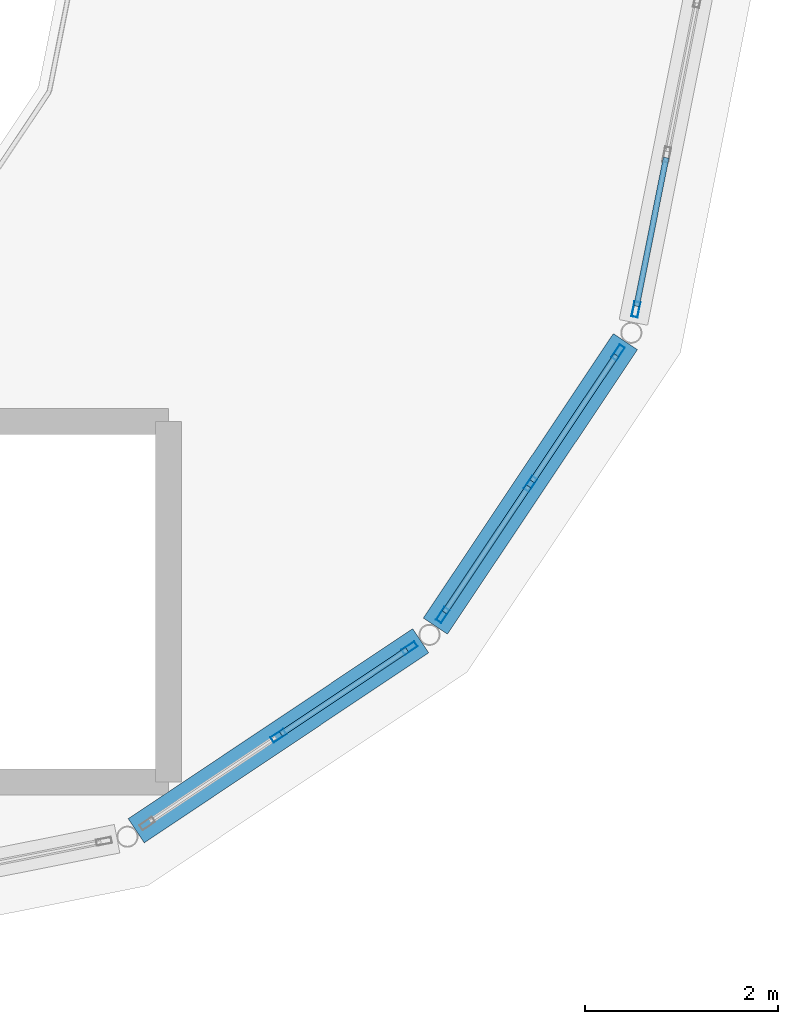
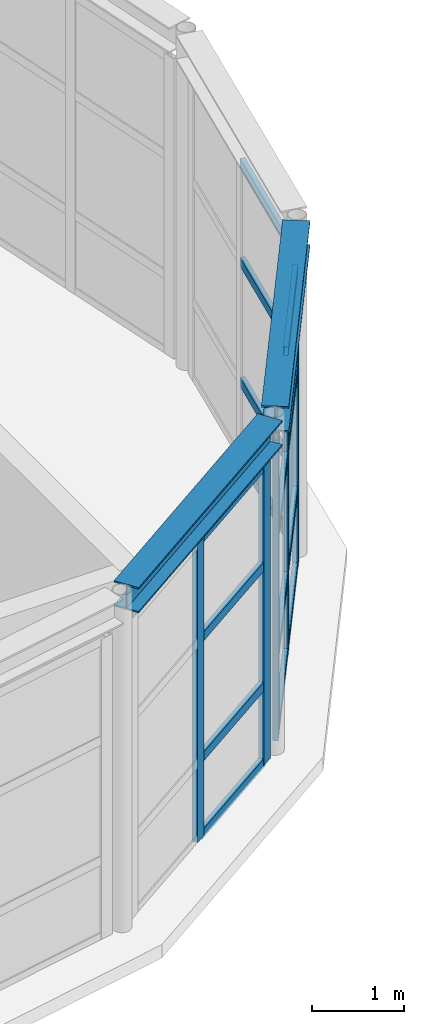
# One storey, part 38 of 80: 22 members, 2 beams, 3 elements without a shape of their own.
"""IFC4 building model written with IfcOpenShell, lengths in metres."""

from ifc_helpers import new_model, si_unit, direction, frame, origin, origin_2d, place, context, subcontext, project, spatial, hollow_rectangle, i_section, extrude, material, layer, layer_set, material_profile, profile_set, type_object, element, aggregate, save


model = new_model("IFC4")

# Units and contexts
model_context = context("Model", 3, precision=1e-05, world=origin(), true_north=direction((0.0, 1.0)))
body_context = subcontext(model_context, "Body", "Model", "MODEL_VIEW")
ifc_project = project(units=[si_unit("LENGTHUNIT", "METRE"), si_unit("AREAUNIT", "SQUARE_METRE"), si_unit("VOLUMEUNIT", "CUBIC_METRE"), si_unit("PLANEANGLEUNIT", "RADIAN"), si_unit("MASSUNIT", "GRAM", prefix="KILO")], contexts=[model_context])

# Site, building, storey
site_placement = place(None, origin())
site = spatial("IfcSite", under=ifc_project, at=site_placement, CompositionType="ELEMENT")
building_placement = place(site_placement, origin())
building = spatial("IfcBuilding", under=site, at=building_placement, Name="Kharisveld Research Institute", CompositionType="ELEMENT")
storey_placement = place(building_placement, frame((0.0, 0.0, 5.10009765625)))
storey = spatial("IfcBuildingStorey", under=building, at=storey_placement, Name="L01", CompositionType="ELEMENT", Elevation=5.10009765625)

# Beams
ifc_material_1 = material(Name="Steel S355JR", Category="steel")
ifc_material_profile_1 = material_profile(ifc_material_1, i_section(OverallWidth=0.300048828125, OverallDepth=0.340087890625, WebThickness=0.011962890625, FlangeThickness=0.021484375, at=origin_2d()))
ifc_profile_set_1 = profile_set([ifc_material_profile_1], Name="Steel S355JR")
beam_type = type_object("IfcBeamType", Name="BM_ST_HEA300", PredefinedType="BEAM", material=ifc_profile_set_1)
for number, where, z_axis, x_axis, name in (
    (1, (63.283935546875, 41.9453125, 4.329833984375), (0.831456681365, 0.555589585047, 0.0), (-0.555589585047, 0.831456681365, 0.0), "BM:V6:L01:RING13"),
    (2, (66.384521484375, 44.0673828125, 4.329833984375), (0.555510185735, 0.831509731479, 0.0), (-0.831509731479, 0.555510185735, 0.0), "BM:V6:L01:RING14"),
):
    element("IfcBeam", number, at=place(storey_placement, frame(where, z_axis=z_axis, x_axis=x_axis)), inside=storey, type_object=beam_type, Name=name, PredefinedType="BEAM", context=body_context, shape_type="SweptSolid", body=[
        extrude(i_section(OverallWidth=0.300048828125, OverallDepth=0.340087890625, WebThickness=0.011962890625, FlangeThickness=0.021484375, at=origin_2d()), origin(), (0.0, 0.0, 1.0), 3.546142578125),
    ])

# Curtain wall, members
ifc_material_2 = material(Name="Thermally Broken Aluminium Curtain Wall", Category="aluminium")
ifc_layer_1 = layer(ifc_material_2, 0.159912109375)
ifc_layer_set_1 = layer_set([ifc_layer_1], Name="CW_SYS_02")
curtain_wall_type_1 = type_object("IfcCurtainWallType", Name="CW_SYS_02", PredefinedType="NOTDEFINED", material=ifc_layer_set_1)
curtain_wall_1_placement = place(storey_placement, origin())
curtain_wall_1 = element("IfcCurtainWall", 3, at=curtain_wall_1_placement, inside=storey, type_object=curtain_wall_type_1, Name="CW:V6:L01:CHORD13", PredefinedType="NOTDEFINED")
ifc_material_3 = material(Name="Anodised Aluminium AW-6063-T6", Category="aluminium")
ifc_material_profile_2 = material_profile(ifc_material_3, hollow_rectangle(XDim=0.06494140625, YDim=0.159912109375, WallThickness=0.00390625, at=origin_2d()))
ifc_profile_set_2 = profile_set([ifc_material_profile_2], Name="Anodised Aluminium AW-6063-T6")
member_type_1 = type_object("IfcMemberType", Name="CW_MUL_160", PredefinedType="MULLION", material=ifc_profile_set_2)
member_1_placement = place(storey_placement, frame((66.11767578125, 43.8388671875, 0.0), z_axis=(0.0, 0.0, 1.0), x_axis=(0.555570109828, -0.831469694616, 0.0)))
member_1 = element("IfcMember", 4, at=member_1_placement, type_object=member_type_1, Name="CW-02 mullion 1", PredefinedType="MULLION", context=body_context, shape_type="SweptSolid", body=[
    extrude(hollow_rectangle(XDim=0.06494140625, YDim=0.159912109375, WallThickness=0.00390625, at=origin_2d()), origin(), (0.0, 0.0, 1.0), 4.0),
])
member_2_placement = place(storey_placement, frame((64.75830078125, 42.930419921875, 0.0), z_axis=(0.0, 0.0, 1.0), x_axis=(0.555570109828, -0.831469694616, 0.0)))
member_2 = element("IfcMember", 5, at=member_2_placement, type_object=member_type_1, Name="CW-02 mullion 2", PredefinedType="MULLION", context=body_context, shape_type="SweptSolid", body=[
    extrude(hollow_rectangle(XDim=0.06494140625, YDim=0.159912109375, WallThickness=0.00390625, at=origin_2d()), origin(), (0.0, 0.0, 1.0), 4.0),
])

ifc_material_4 = material(Name="Thermally Broken Aluminium Curtain Wall", Category="aluminium")
ifc_layer_2 = layer(ifc_material_4, 0.159912109375)
ifc_layer_set_2 = layer_set([ifc_layer_2], Name="CW_SYS_03")
curtain_wall_type_2 = type_object("IfcCurtainWallType", Name="CW_SYS_03", PredefinedType="NOTDEFINED", material=ifc_layer_set_2)
curtain_wall_2_placement = place(storey_placement, origin())
curtain_wall_2 = element("IfcCurtainWall", 6, at=curtain_wall_2_placement, inside=storey, type_object=curtain_wall_type_2, Name="CW:V6:L01:CHORD14", PredefinedType="NOTDEFINED")
member_3_placement = place(storey_placement, frame((68.27783203125, 46.9013671875, 0.0), z_axis=(0.0, 0.0, 1.0), x_axis=(0.831469694616, -0.555570109828, 0.0)))
member_3 = element("IfcMember", 7, at=member_3_placement, type_object=member_type_1, Name="CW-03 mullion 1", PredefinedType="MULLION", context=body_context, shape_type="SweptSolid", body=[
    extrude(hollow_rectangle(XDim=0.06494140625, YDim=0.159912109375, WallThickness=0.00390625, at=origin_2d()), origin(), (0.0, 0.0, 1.0), 4.0),
])
member_4_placement = place(storey_placement, frame((67.36962890625, 45.541748046875, 0.0), z_axis=(0.0, 0.0, 1.0), x_axis=(0.831469694616, -0.555570109828, 0.0)))
member_4 = element("IfcMember", 8, at=member_4_placement, type_object=member_type_1, Name="CW-03 mullion 2", PredefinedType="MULLION", context=body_context, shape_type="SweptSolid", body=[
    extrude(hollow_rectangle(XDim=0.06494140625, YDim=0.159912109375, WallThickness=0.00390625, at=origin_2d()), origin(), (0.0, 0.0, 1.0), 4.0),
])
member_5_placement = place(storey_placement, frame((66.461181640625, 44.18212890625, 0.0), z_axis=(0.0, 0.0, 1.0), x_axis=(0.831469694616, -0.555570109828, 0.0)))
member_5 = element("IfcMember", 9, at=member_5_placement, type_object=member_type_1, Name="CW-03 mullion 3", PredefinedType="MULLION", context=body_context, shape_type="SweptSolid", body=[
    extrude(hollow_rectangle(XDim=0.06494140625, YDim=0.159912109375, WallThickness=0.00390625, at=origin_2d()), origin(), (0.0, 0.0, 1.0), 4.0),
])

# Curtain wall, member
ifc_material_5 = material(Name="Thermally Broken Aluminium Curtain Wall", Category="aluminium")
ifc_layer_3 = layer(ifc_material_5, 0.159912109375)
ifc_layer_set_3 = layer_set([ifc_layer_3], Name="CW_SYS_04")
curtain_wall_type_3 = type_object("IfcCurtainWallType", Name="CW_SYS_04", PredefinedType="NOTDEFINED", material=ifc_layer_set_3)
curtain_wall_3_placement = place(storey_placement, origin())
curtain_wall_3 = element("IfcCurtainWall", 10, at=curtain_wall_3_placement, inside=storey, type_object=curtain_wall_type_3, Name="CW:V6:L01:CHORD15", PredefinedType="NOTDEFINED")
member_6_placement = place(storey_placement, frame((68.463623046875, 47.349853515625, 0.0), z_axis=(0.0, 0.0, 1.0), x_axis=(0.980785199106, -0.195090730724, 0.0)))
member_6 = element("IfcMember", 11, at=member_6_placement, type_object=member_type_1, Name="CW-04 mullion 3", PredefinedType="MULLION", context=body_context, shape_type="SweptSolid", body=[
    extrude(hollow_rectangle(XDim=0.06494140625, YDim=0.159912109375, WallThickness=0.00390625, at=origin_2d()), origin(), (0.0, 0.0, 1.0), 4.0),
])

# Member
ifc_material_6 = material(Name="Anodised Aluminium AW-6063-T6", Category="aluminium")
ifc_material_profile_3 = material_profile(ifc_material_6, hollow_rectangle(XDim=0.06005859375, YDim=0.1201171875, WallThickness=0.00390625, at=origin_2d()))
ifc_profile_set_3 = profile_set([ifc_material_profile_3], Name="Anodised Aluminium AW-6063-T6")
member_type_2 = type_object("IfcMemberType", Name="CW_TRN_120", PredefinedType="USERDEFINED", material=ifc_profile_set_3)
member_7_placement = place(storey_placement, frame((66.0908203125, 43.82080078125, 0.02978515625), z_axis=(-0.831499729939, -0.555525156147, 0.0), x_axis=(0.555525156147, -0.831499729939, 0.0)))
member_7 = element("IfcMember", 12, at=member_7_placement, type_object=member_type_2, Name="CW-02 transom 1.1", ObjectType="TRANSOM", PredefinedType="USERDEFINED", context=body_context, shape_type="SweptSolid", body=[
    extrude(hollow_rectangle(XDim=0.06005859375, YDim=0.1201171875, WallThickness=0.00390625, at=origin_2d()), origin(), (0.0, 0.0, 1.0), 1.5703125),
])

member_8_placement = place(storey_placement, frame((66.0908203125, 43.82080078125, 1.0498046875), z_axis=(-0.831499729939, -0.555525156147, 0.0), x_axis=(0.555525156147, -0.831499729939, 0.0)))
member_8 = element("IfcMember", 13, at=member_8_placement, type_object=member_type_2, Name="CW-02 transom 1.2", ObjectType="TRANSOM", PredefinedType="USERDEFINED", context=body_context, shape_type="SweptSolid", body=[
    extrude(hollow_rectangle(XDim=0.06005859375, YDim=0.1201171875, WallThickness=0.00390625, at=origin_2d()), origin(), (0.0, 0.0, 1.0), 1.5703125),
])

member_9_placement = place(storey_placement, frame((66.0908203125, 43.82080078125, 2.64990234375), z_axis=(-0.831499729939, -0.555525156147, 0.0), x_axis=(0.555525156147, -0.831499729939, 0.0)))
member_9 = element("IfcMember", 14, at=member_9_placement, type_object=member_type_2, Name="CW-02 transom 1.3", ObjectType="TRANSOM", PredefinedType="USERDEFINED", context=body_context, shape_type="SweptSolid", body=[
    extrude(hollow_rectangle(XDim=0.06005859375, YDim=0.1201171875, WallThickness=0.00390625, at=origin_2d()), origin(), (0.0, 0.0, 1.0), 1.5703125),
])

member_10_placement = place(storey_placement, frame((66.0908203125, 43.82080078125, 3.969970703125), z_axis=(-0.831499729939, -0.555525156147, 0.0), x_axis=(0.555525156147, -0.831499729939, 0.0)))
member_10 = element("IfcMember", 15, at=member_10_placement, type_object=member_type_2, Name="CW-02 transom 1.4", ObjectType="TRANSOM", PredefinedType="USERDEFINED", context=body_context, shape_type="SweptSolid", body=[
    extrude(hollow_rectangle(XDim=0.06005859375, YDim=0.1201171875, WallThickness=0.00390625, at=origin_2d()), origin(), (0.0, 0.0, 1.0), 1.5703125),
])

aggregate(curtain_wall_1, [member_1, member_2, member_7, member_8, member_9, member_10])

member_11_placement = place(storey_placement, frame((68.259765625, 46.874267578125, 0.02978515625), z_axis=(-0.555596981897, -0.831451738652, 0.0), x_axis=(0.831451738652, -0.555596981897, 0.0)))
member_11 = element("IfcMember", 16, at=member_11_placement, type_object=member_type_2, Name="CW-03 transom 1.1", ObjectType="TRANSOM", PredefinedType="USERDEFINED", context=body_context, shape_type="SweptSolid", body=[
    extrude(hollow_rectangle(XDim=0.06005859375, YDim=0.1201171875, WallThickness=0.00390625, at=origin_2d()), origin(), (0.0, 0.0, 1.0), 1.570068359375),
])

member_12_placement = place(storey_placement, frame((68.259765625, 46.874267578125, 1.0498046875), z_axis=(-0.555596981897, -0.831451738652, 0.0), x_axis=(0.831451738652, -0.555596981897, 0.0)))
member_12 = element("IfcMember", 17, at=member_12_placement, type_object=member_type_2, Name="CW-03 transom 1.2", ObjectType="TRANSOM", PredefinedType="USERDEFINED", context=body_context, shape_type="SweptSolid", body=[
    extrude(hollow_rectangle(XDim=0.06005859375, YDim=0.1201171875, WallThickness=0.00390625, at=origin_2d()), origin(), (0.0, 0.0, 1.0), 1.570068359375),
])

member_13_placement = place(storey_placement, frame((68.259765625, 46.874267578125, 2.64990234375), z_axis=(-0.555596981897, -0.831451738652, 0.0), x_axis=(0.831451738652, -0.555596981897, 0.0)))
member_13 = element("IfcMember", 18, at=member_13_placement, type_object=member_type_2, Name="CW-03 transom 1.3", ObjectType="TRANSOM", PredefinedType="USERDEFINED", context=body_context, shape_type="SweptSolid", body=[
    extrude(hollow_rectangle(XDim=0.06005859375, YDim=0.1201171875, WallThickness=0.00390625, at=origin_2d()), origin(), (0.0, 0.0, 1.0), 1.570068359375),
])

member_14_placement = place(storey_placement, frame((68.259765625, 46.874267578125, 3.969970703125), z_axis=(-0.555596981897, -0.831451738652, 0.0), x_axis=(0.831451738652, -0.555596981897, 0.0)))
member_14 = element("IfcMember", 19, at=member_14_placement, type_object=member_type_2, Name="CW-03 transom 1.4", ObjectType="TRANSOM", PredefinedType="USERDEFINED", context=body_context, shape_type="SweptSolid", body=[
    extrude(hollow_rectangle(XDim=0.06005859375, YDim=0.1201171875, WallThickness=0.00390625, at=origin_2d()), origin(), (0.0, 0.0, 1.0), 1.570068359375),
])

member_15_placement = place(storey_placement, frame((67.3515625, 45.5146484375, 0.02978515625), z_axis=(-0.555596981897, -0.831451738652, 0.0), x_axis=(0.831451738652, -0.555596981897, 0.0)))
member_15 = element("IfcMember", 20, at=member_15_placement, type_object=member_type_2, Name="CW-03 transom 2.1", ObjectType="TRANSOM", PredefinedType="USERDEFINED", context=body_context, shape_type="SweptSolid", body=[
    extrude(hollow_rectangle(XDim=0.06005859375, YDim=0.1201171875, WallThickness=0.00390625, at=origin_2d()), origin(), (0.0, 0.0, 1.0), 1.570068359375),
])

member_16_placement = place(storey_placement, frame((67.3515625, 45.5146484375, 1.0498046875), z_axis=(-0.555596981897, -0.831451738652, 0.0), x_axis=(0.831451738652, -0.555596981897, 0.0)))
member_16 = element("IfcMember", 21, at=member_16_placement, type_object=member_type_2, Name="CW-03 transom 2.2", ObjectType="TRANSOM", PredefinedType="USERDEFINED", context=body_context, shape_type="SweptSolid", body=[
    extrude(hollow_rectangle(XDim=0.06005859375, YDim=0.1201171875, WallThickness=0.00390625, at=origin_2d()), origin(), (0.0, 0.0, 1.0), 1.570068359375),
])

member_17_placement = place(storey_placement, frame((67.3515625, 45.5146484375, 2.64990234375), z_axis=(-0.555596981897, -0.831451738652, 0.0), x_axis=(0.831451738652, -0.555596981897, 0.0)))
member_17 = element("IfcMember", 22, at=member_17_placement, type_object=member_type_2, Name="CW-03 transom 2.3", ObjectType="TRANSOM", PredefinedType="USERDEFINED", context=body_context, shape_type="SweptSolid", body=[
    extrude(hollow_rectangle(XDim=0.06005859375, YDim=0.1201171875, WallThickness=0.00390625, at=origin_2d()), origin(), (0.0, 0.0, 1.0), 1.570068359375),
])

member_18_placement = place(storey_placement, frame((67.3515625, 45.5146484375, 3.969970703125), z_axis=(-0.555596981897, -0.831451738652, 0.0), x_axis=(0.831451738652, -0.555596981897, 0.0)))
member_18 = element("IfcMember", 23, at=member_18_placement, type_object=member_type_2, Name="CW-03 transom 2.4", ObjectType="TRANSOM", PredefinedType="USERDEFINED", context=body_context, shape_type="SweptSolid", body=[
    extrude(hollow_rectangle(XDim=0.06005859375, YDim=0.1201171875, WallThickness=0.00390625, at=origin_2d()), origin(), (0.0, 0.0, 1.0), 1.570068359375),
])

aggregate(curtain_wall_2, [member_3, member_4, member_5, member_11, member_12, member_13, member_14, member_15, member_16, member_17, member_18])

member_19_placement = place(storey_placement, frame((68.7763671875, 48.921630859375, 0.02978515625), z_axis=(-0.195159086375, -0.980771599816, 0.0), x_axis=(0.980771599816, -0.195159086375, 0.0)))
member_19 = element("IfcMember", 24, at=member_19_placement, type_object=member_type_2, Name="CW-04 transom 2.1", ObjectType="TRANSOM", PredefinedType="USERDEFINED", context=body_context, shape_type="SweptSolid", body=[
    extrude(hollow_rectangle(XDim=0.06005859375, YDim=0.1201171875, WallThickness=0.00390625, at=origin_2d()), origin(), (0.0, 0.0, 1.0), 1.570068359375),
])

member_20_placement = place(storey_placement, frame((68.7763671875, 48.921630859375, 1.0498046875), z_axis=(-0.195159086375, -0.980771599816, 0.0), x_axis=(0.980771599816, -0.195159086375, 0.0)))
member_20 = element("IfcMember", 25, at=member_20_placement, type_object=member_type_2, Name="CW-04 transom 2.2", ObjectType="TRANSOM", PredefinedType="USERDEFINED", context=body_context, shape_type="SweptSolid", body=[
    extrude(hollow_rectangle(XDim=0.06005859375, YDim=0.1201171875, WallThickness=0.00390625, at=origin_2d()), origin(), (0.0, 0.0, 1.0), 1.570068359375),
])

member_21_placement = place(storey_placement, frame((68.7763671875, 48.921630859375, 2.64990234375), z_axis=(-0.195159086375, -0.980771599816, 0.0), x_axis=(0.980771599816, -0.195159086375, 0.0)))
member_21 = element("IfcMember", 26, at=member_21_placement, type_object=member_type_2, Name="CW-04 transom 2.3", ObjectType="TRANSOM", PredefinedType="USERDEFINED", context=body_context, shape_type="SweptSolid", body=[
    extrude(hollow_rectangle(XDim=0.06005859375, YDim=0.1201171875, WallThickness=0.00390625, at=origin_2d()), origin(), (0.0, 0.0, 1.0), 1.570068359375),
])

member_22_placement = place(storey_placement, frame((68.7763671875, 48.921630859375, 3.969970703125), z_axis=(-0.195159086375, -0.980771599816, 0.0), x_axis=(0.980771599816, -0.195159086375, 0.0)))
member_22 = element("IfcMember", 27, at=member_22_placement, type_object=member_type_2, Name="CW-04 transom 2.4", ObjectType="TRANSOM", PredefinedType="USERDEFINED", context=body_context, shape_type="SweptSolid", body=[
    extrude(hollow_rectangle(XDim=0.06005859375, YDim=0.1201171875, WallThickness=0.00390625, at=origin_2d()), origin(), (0.0, 0.0, 1.0), 1.570068359375),
])

aggregate(curtain_wall_3, [member_6, member_19, member_20, member_21, member_22])

save(model, "model.ifc")
